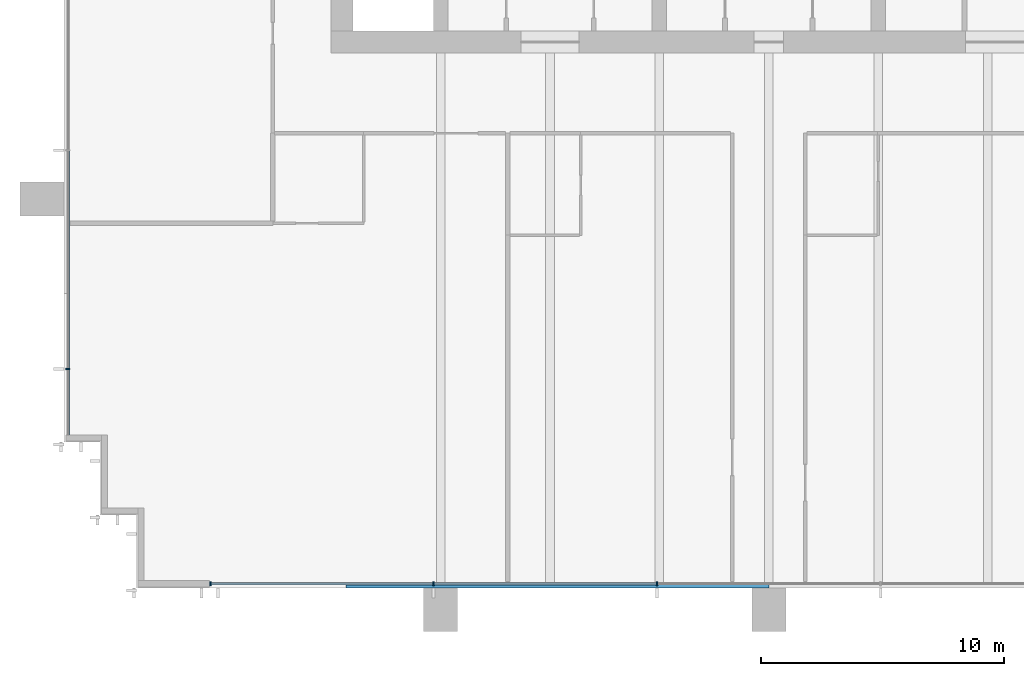
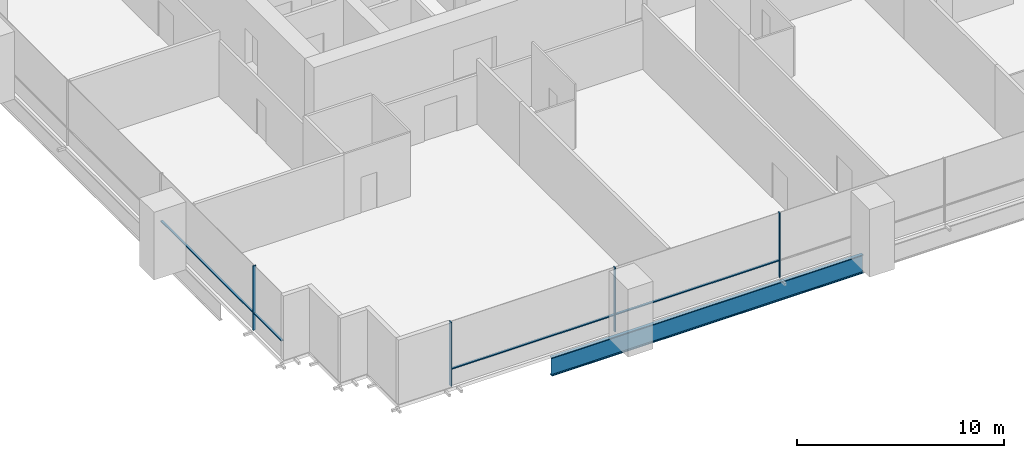
# One storey, part 2 of 14: 8 members, 1 beam, 2 elements without a shape of their own.
"""IFC4 building model written with IfcOpenShell, lengths in metres."""

from ifc_helpers import new_model, si_unit, direction, frame, origin, origin_2d, place, context, subcontext, project, spatial, rectangle, i_section, extrude, material, material_profile, profile_set, type_object, element, aggregate, save


model = new_model("IFC4")

# Units and contexts
model_context = context("Model", 3, precision=1e-05, world=origin(), true_north=direction((0.0, 1.0)))
body_context = subcontext(model_context, "Body", "Model", "MODEL_VIEW")
ifc_project = project(units=[si_unit("LENGTHUNIT", "METRE"), si_unit("AREAUNIT", "SQUARE_METRE"), si_unit("VOLUMEUNIT", "CUBIC_METRE"), si_unit("PLANEANGLEUNIT", "RADIAN"), si_unit("MASSUNIT", "GRAM", prefix="KILO")], contexts=[model_context])

# Site, building, storey
site_placement = place(None, origin())
site = spatial("IfcSite", under=ifc_project, at=site_placement, CompositionType="ELEMENT")
building_placement = place(site_placement, origin())
building = spatial("IfcBuilding", under=site, at=building_placement, Name="Rattan Terrace Tower", CompositionType="ELEMENT")
storey_placement = place(building_placement, frame((0.0, 0.0, 154.10009765625)))
storey = spatial("IfcBuildingStorey", under=building, at=storey_placement, Name="L35", CompositionType="ELEMENT", Elevation=154.10009765625)

# Curtain wall, member
ifc_material_1 = material(Name="Aluminium and glass", Category="aluminium")
curtain_wall_type = type_object("IfcCurtainWallType", Name="Facade Unitised Curtain Wall", PredefinedType="NOTDEFINED", material=ifc_material_1)
curtain_wall_1_placement = place(storey_placement, origin())
curtain_wall_1 = element("IfcCurtainWall", 1, at=curtain_wall_1_placement, inside=storey, type_object=curtain_wall_type, Name="Curtain wall L35-3", PredefinedType="NOTDEFINED")
ifc_material_2 = material(Name="Aluminium", Category="aluminium")
ifc_material_profile_1 = material_profile(ifc_material_2, rectangle(XDim=0.06005859375, YDim=0.159912109375, at=origin_2d()), Name="Aluminium 60x160")
ifc_profile_set_1 = profile_set([ifc_material_profile_1], Name="Aluminium")
member_type_1 = type_object("IfcMemberType", Name="Facade CW Mullion 60x160", PredefinedType="MULLION", material=ifc_profile_set_1)
member_1_placement = place(storey_placement, frame((-28.830078125, -20.5, 0.0), z_axis=(0.0, 0.0, 1.0), x_axis=(0.0, -1.0, 0.0)))
member_1 = element("IfcMember", 2, at=member_1_placement, type_object=member_type_1, Name="Mullion cwl-L35-003.4", PredefinedType="MULLION", context=body_context, shape_type="SweptSolid", body=[
    extrude(rectangle(XDim=0.06005859375, YDim=0.159912109375, at=origin_2d()), origin(), (0.0, 0.0, 1.0), 3.7998046875),
])

# Curtain wall, members
curtain_wall_2_placement = place(storey_placement, origin())
curtain_wall_2 = element("IfcCurtainWall", 3, at=curtain_wall_2_placement, inside=storey, type_object=curtain_wall_type, Name="Curtain wall L35-4", PredefinedType="NOTDEFINED")
member_2_placement = place(storey_placement, frame((-22.969970703125, -29.330078125, 0.0), z_axis=(0.0, 0.0, 1.0), x_axis=(1.0, 0.0, 0.0)))
member_2 = element("IfcMember", 4, at=member_2_placement, type_object=member_type_1, Name="Mullion cwl-L35-004.1", PredefinedType="MULLION", context=body_context, shape_type="SweptSolid", body=[
    extrude(rectangle(XDim=0.06005859375, YDim=0.159912109375, at=origin_2d()), origin(), (0.0, 0.0, 1.0), 3.7998046875),
])
member_3_placement = place(storey_placement, frame((-13.799072265625, -29.330078125, 0.0), z_axis=(0.0, 0.0, 1.0), x_axis=(1.0, 0.0, 0.0)))
member_3 = element("IfcMember", 5, at=member_3_placement, type_object=member_type_1, Name="Mullion cwl-L35-004.2", PredefinedType="MULLION", context=body_context, shape_type="SweptSolid", body=[
    extrude(rectangle(XDim=0.06005859375, YDim=0.159912109375, at=origin_2d()), origin(), (0.0, 0.0, 1.0), 3.7998046875),
])
member_4_placement = place(storey_placement, frame((-4.597900390625, -29.330078125, 0.0), z_axis=(0.0, 0.0, 1.0), x_axis=(1.0, 0.0, 0.0)))
member_4 = element("IfcMember", 6, at=member_4_placement, type_object=member_type_1, Name="Mullion cwl-L35-004.3", PredefinedType="MULLION", context=body_context, shape_type="SweptSolid", body=[
    extrude(rectangle(XDim=0.06005859375, YDim=0.159912109375, at=origin_2d()), origin(), (0.0, 0.0, 1.0), 3.7998046875),
])

# Member
ifc_material_3 = material(Name="Aluminium", Category="aluminium")
ifc_material_profile_2 = material_profile(ifc_material_3, rectangle(XDim=0.1201171875, YDim=0.06005859375, at=origin_2d()), Name="Aluminium 120x60")
ifc_profile_set_2 = profile_set([ifc_material_profile_2], Name="Aluminium")
member_type_2 = type_object("IfcMemberType", Name="Facade CW Transom 120x60", PredefinedType="USERDEFINED", material=ifc_profile_set_2)
member_5_placement = place(storey_placement, frame((-28.830078125, -11.530029296875, 1.0), z_axis=(0.0, -1.0, 0.0), x_axis=(1.0, 0.0, 0.0)))
member_5 = element("IfcMember", 7, at=member_5_placement, type_object=member_type_2, Name="Transom cwl-L35-003.3", ObjectType="TRANSOM", PredefinedType="USERDEFINED", context=body_context, shape_type="SweptSolid", body=[
    extrude(rectangle(XDim=0.1201171875, YDim=0.06005859375, at=origin_2d()), origin(), (0.0, 0.0, 1.0), 8.93994140625),
])

member_6_placement = place(storey_placement, frame((-28.830078125, -20.530029296875, 1.0), z_axis=(0.0, -1.0, 0.0), x_axis=(1.0, 0.0, 0.0)))
member_6 = element("IfcMember", 8, at=member_6_placement, type_object=member_type_2, Name="Transom cwl-L35-003.4", ObjectType="TRANSOM", PredefinedType="USERDEFINED", context=body_context, shape_type="SweptSolid", body=[
    extrude(rectangle(XDim=0.1201171875, YDim=0.06005859375, at=origin_2d()), origin(), (0.0, 0.0, 1.0), 2.675048828125),
])

aggregate(curtain_wall_1, [member_1, member_5, member_6])

member_7_placement = place(storey_placement, frame((-22.93994140625, -29.330078125, 1.0), z_axis=(1.0, 0.0, 0.0), x_axis=(0.0, 1.0, 0.0)))
member_7 = element("IfcMember", 9, at=member_7_placement, type_object=member_type_2, Name="Transom cwl-L35-004.1", ObjectType="TRANSOM", PredefinedType="USERDEFINED", context=body_context, shape_type="SweptSolid", body=[
    extrude(rectangle(XDim=0.1201171875, YDim=0.06005859375, at=origin_2d()), origin(), (0.0, 0.0, 1.0), 9.11083984375),
])

member_8_placement = place(storey_placement, frame((-13.76904296875, -29.330078125, 1.0), z_axis=(1.0, 0.0, 0.0), x_axis=(0.0, 1.0, 0.0)))
member_8 = element("IfcMember", 10, at=member_8_placement, type_object=member_type_2, Name="Transom cwl-L35-004.2", ObjectType="TRANSOM", PredefinedType="USERDEFINED", context=body_context, shape_type="SweptSolid", body=[
    extrude(rectangle(XDim=0.1201171875, YDim=0.06005859375, at=origin_2d()), origin(), (0.0, 0.0, 1.0), 9.14111328125),
])

aggregate(curtain_wall_2, [member_2, member_3, member_4, member_7, member_8])

# Beam
ifc_material_4 = material(Name="Steel S460", Category="steel")
ifc_material_profile_3 = material_profile(ifc_material_4, i_section(OverallWidth=0.179931640625, OverallDepth=1.10009765625, WebThickness=0.01611328125, FlangeThickness=0.050048828125, at=origin_2d()), Name="PG 1100x180-16-50")
ifc_profile_set_3 = profile_set([ifc_material_profile_3], Name="Steel S460")
beam_type = type_object("IfcBeamType", Name="Frame edge girder PG 1100x180-16-50", PredefinedType="SPANDREL", material=ifc_profile_set_3)
beam_placement = place(storey_placement, frame((-17.39990234375, -29.409912109375, -0.75), z_axis=(1.0, 0.0, 0.0), x_axis=(0.0, 1.0, 0.0)))
element("IfcBeam", 11, at=beam_placement, inside=storey, type_object=beam_type, Name="gdr-L35-001", PredefinedType="SPANDREL", context=body_context, shape_type="SweptSolid", body=[
    extrude(i_section(OverallWidth=0.179931640625, OverallDepth=1.10009765625, WebThickness=0.01611328125, FlangeThickness=0.050048828125, at=origin_2d()), origin(), (0.0, 0.0, 1.0), 17.39990234375),
])

save(model, "model.ifc")
